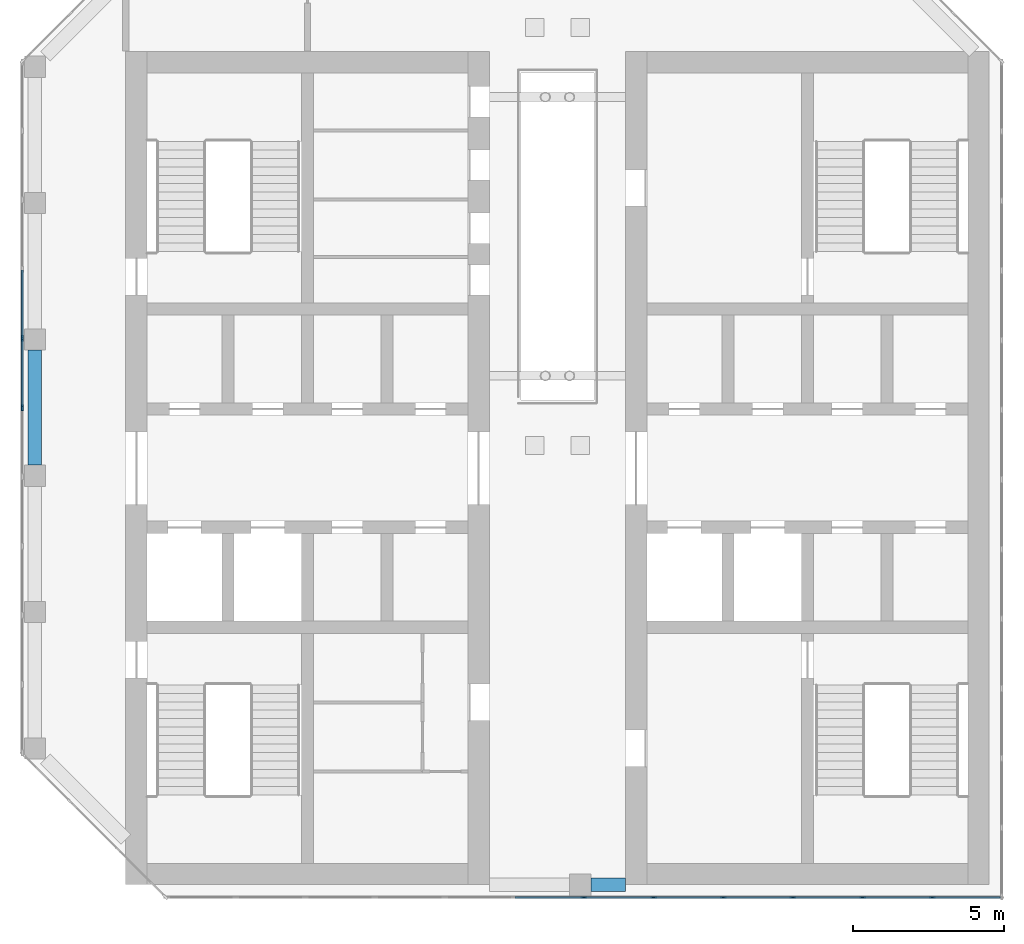
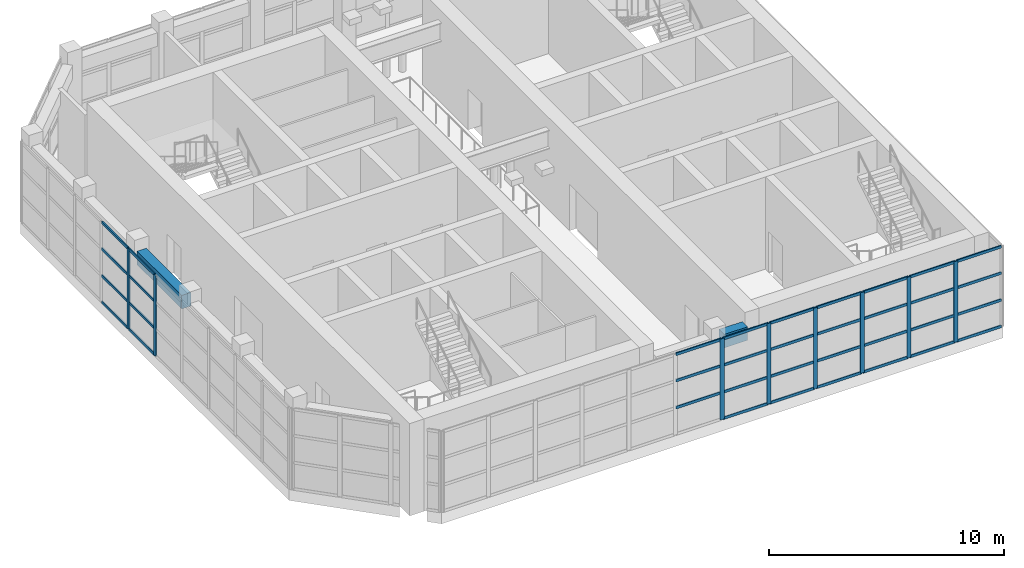
# One storey, part 3 of 13: 43 members, 2 beams, 2 elements without a shape of their own.
"""IFC4 building model written with IfcOpenShell, lengths in metres."""

from ifc_helpers import new_model, si_unit, direction, frame, origin, origin_2d, place, context, subcontext, project, spatial, rectangle, extrude, material, material_profile, profile_set, type_object, element, aggregate, save


model = new_model("IFC4")

# Units and contexts
model_context = context("Model", 3, precision=1e-05, world=origin(), true_north=direction((0.0, 1.0)))
body_context = subcontext(model_context, "Body", "Model", "MODEL_VIEW")
ifc_project = project(units=[si_unit("LENGTHUNIT", "METRE"), si_unit("AREAUNIT", "SQUARE_METRE"), si_unit("VOLUMEUNIT", "CUBIC_METRE"), si_unit("PLANEANGLEUNIT", "RADIAN"), si_unit("MASSUNIT", "GRAM", prefix="KILO")], contexts=[model_context])

# Site, building, storey
site_placement = place(None, origin())
site = spatial("IfcSite", under=ifc_project, at=site_placement, CompositionType="ELEMENT")
building_placement = place(site_placement, origin())
building = spatial("IfcBuilding", under=site, at=building_placement, Name="Corbel Stack Research Tower", CompositionType="ELEMENT")
storey_placement = place(building_placement, frame((0.0, 0.0, 316.60009765625)))
storey = spatial("IfcBuildingStorey", under=building, at=storey_placement, Name="L71", CompositionType="ELEMENT", Elevation=316.60009765625)

# Curtain wall, members
ifc_material_1 = material(Name="Aluminium and glass", Category="aluminium")
curtain_wall_type = type_object("IfcCurtainWallType", Name="CW4C damper hall glazing wall, corner", PredefinedType="NOTDEFINED", material=ifc_material_1)
curtain_wall_1_placement = place(storey_placement, origin())
curtain_wall_1 = element("IfcCurtainWall", 1, at=curtain_wall_1_placement, inside=storey, type_object=curtain_wall_type, Name="Damper hall curtain wall L71 2", PredefinedType="NOTDEFINED")
ifc_material_2 = material(Name="Aluminium, anodised", Category="aluminium")
ifc_material_profile_1 = material_profile(ifc_material_2, rectangle(XDim=0.06005859375, YDim=0.199951171875, at=origin_2d()), Name="CW4 mullion 60 x 200")
ifc_profile_set_1 = profile_set([ifc_material_profile_1], Name="Aluminium, anodised")
member_type_1 = type_object("IfcMemberType", Name="CW4 mullion 60 x 200", PredefinedType="MULLION", material=ifc_profile_set_1)
member_1_placement = place(storey_placement, frame((-13.919921875, 6.75, 0.0), z_axis=(0.0, 0.0, 1.0), x_axis=(-1.0, 0.0, 0.0)))
member_1 = element("IfcMember", 2, at=member_1_placement, type_object=member_type_1, Name="CW4C mullion 6", PredefinedType="MULLION", context=body_context, shape_type="SweptSolid", body=[
    extrude(rectangle(XDim=0.06005859375, YDim=0.199951171875, at=origin_2d()), origin(), (0.0, 0.0, 1.0), 4.199951171875),
])
member_2_placement = place(storey_placement, frame((-13.919921875, 9.034912109375, 0.0), z_axis=(0.0, 0.0, 1.0), x_axis=(-1.0, 0.0, 0.0)))
member_2 = element("IfcMember", 3, at=member_2_placement, type_object=member_type_1, Name="CW4C mullion 7", PredefinedType="MULLION", context=body_context, shape_type="SweptSolid", body=[
    extrude(rectangle(XDim=0.06005859375, YDim=0.199951171875, at=origin_2d()), origin(), (0.0, 0.0, 1.0), 4.199951171875),
])

curtain_wall_2_placement = place(storey_placement, origin())
curtain_wall_2 = element("IfcCurtainWall", 4, at=curtain_wall_2_placement, inside=storey, type_object=curtain_wall_type, Name="Damper hall curtain wall L71 7", PredefinedType="NOTDEFINED")
member_3_placement = place(storey_placement, frame((16.12060546875, -9.419921875, 0.0), z_axis=(0.0, 0.0, 1.0), x_axis=(0.0, -1.0, 0.0)))
member_3 = element("IfcMember", 5, at=member_3_placement, type_object=member_type_1, Name="CW4C mullion 2", PredefinedType="MULLION", context=body_context, shape_type="SweptSolid", body=[
    extrude(rectangle(XDim=0.06005859375, YDim=0.199951171875, at=origin_2d()), origin(), (0.0, 0.0, 1.0), 4.199951171875),
])
member_4_placement = place(storey_placement, frame((13.821044921875, -9.419921875, 0.0), z_axis=(0.0, 0.0, 1.0), x_axis=(0.0, -1.0, 0.0)))
member_4 = element("IfcMember", 6, at=member_4_placement, type_object=member_type_1, Name="CW4C mullion 3", PredefinedType="MULLION", context=body_context, shape_type="SweptSolid", body=[
    extrude(rectangle(XDim=0.06005859375, YDim=0.199951171875, at=origin_2d()), origin(), (0.0, 0.0, 1.0), 4.199951171875),
])
member_5_placement = place(storey_placement, frame((11.521484375, -9.419921875, 0.0), z_axis=(0.0, 0.0, 1.0), x_axis=(0.0, -1.0, 0.0)))
member_5 = element("IfcMember", 7, at=member_5_placement, type_object=member_type_1, Name="CW4C mullion 4", PredefinedType="MULLION", context=body_context, shape_type="SweptSolid", body=[
    extrude(rectangle(XDim=0.06005859375, YDim=0.199951171875, at=origin_2d()), origin(), (0.0, 0.0, 1.0), 4.199951171875),
])
member_6_placement = place(storey_placement, frame((9.221923828125, -9.419921875, 0.0), z_axis=(0.0, 0.0, 1.0), x_axis=(0.0, -1.0, 0.0)))
member_6 = element("IfcMember", 8, at=member_6_placement, type_object=member_type_1, Name="CW4C mullion 5", PredefinedType="MULLION", context=body_context, shape_type="SweptSolid", body=[
    extrude(rectangle(XDim=0.06005859375, YDim=0.199951171875, at=origin_2d()), origin(), (0.0, 0.0, 1.0), 4.199951171875),
])
member_7_placement = place(storey_placement, frame((6.922607421875, -9.419921875, 0.0), z_axis=(0.0, 0.0, 1.0), x_axis=(0.0, -1.0, 0.0)))
member_7 = element("IfcMember", 9, at=member_7_placement, type_object=member_type_1, Name="CW4C mullion 6", PredefinedType="MULLION", context=body_context, shape_type="SweptSolid", body=[
    extrude(rectangle(XDim=0.06005859375, YDim=0.199951171875, at=origin_2d()), origin(), (0.0, 0.0, 1.0), 4.199951171875),
])
member_8_placement = place(storey_placement, frame((4.623046875, -9.419921875, 0.0), z_axis=(0.0, 0.0, 1.0), x_axis=(0.0, -1.0, 0.0)))
member_8 = element("IfcMember", 10, at=member_8_placement, type_object=member_type_1, Name="CW4C mullion 7", PredefinedType="MULLION", context=body_context, shape_type="SweptSolid", body=[
    extrude(rectangle(XDim=0.06005859375, YDim=0.199951171875, at=origin_2d()), origin(), (0.0, 0.0, 1.0), 4.199951171875),
])

# Member
ifc_material_3 = material(Name="Aluminium, anodised", Category="aluminium")
ifc_material_profile_2 = material_profile(ifc_material_3, rectangle(XDim=0.06005859375, YDim=0.139892578125, at=origin_2d()), Name="CW4 transom 60 x 140")
ifc_profile_set_2 = profile_set([ifc_material_profile_2], Name="Aluminium, anodised")
member_type_2 = type_object("IfcMemberType", Name="CW4 transom 60 x 140", PredefinedType="USERDEFINED", material=ifc_profile_set_2)
member_9_placement = place(storey_placement, frame((-13.919921875, 6.780029296875, 0.02978515625), z_axis=(0.0, 1.0, 0.0), x_axis=(-1.0, 0.0, 0.0)))
member_9 = element("IfcMember", 11, at=member_9_placement, type_object=member_type_2, Name="CW4C transom 6.1", ObjectType="TRANSOM", PredefinedType="USERDEFINED", context=body_context, shape_type="SweptSolid", body=[
    extrude(rectangle(XDim=0.06005859375, YDim=0.139892578125, at=origin_2d()), origin(), (0.0, 0.0, 1.0), 2.224853515625),
])

member_10_placement = place(storey_placement, frame((-13.919921875, 6.780029296875, 1.39990234375), z_axis=(0.0, 1.0, 0.0), x_axis=(-1.0, 0.0, 0.0)))
member_10 = element("IfcMember", 12, at=member_10_placement, type_object=member_type_2, Name="CW4C transom 6.2", ObjectType="TRANSOM", PredefinedType="USERDEFINED", context=body_context, shape_type="SweptSolid", body=[
    extrude(rectangle(XDim=0.06005859375, YDim=0.139892578125, at=origin_2d()), origin(), (0.0, 0.0, 1.0), 2.224853515625),
])

member_11_placement = place(storey_placement, frame((-13.919921875, 6.780029296875, 2.7998046875), z_axis=(0.0, 1.0, 0.0), x_axis=(-1.0, 0.0, 0.0)))
member_11 = element("IfcMember", 13, at=member_11_placement, type_object=member_type_2, Name="CW4C transom 6.3", ObjectType="TRANSOM", PredefinedType="USERDEFINED", context=body_context, shape_type="SweptSolid", body=[
    extrude(rectangle(XDim=0.06005859375, YDim=0.139892578125, at=origin_2d()), origin(), (0.0, 0.0, 1.0), 2.224853515625),
])

member_12_placement = place(storey_placement, frame((-13.919921875, 6.780029296875, 4.169921875), z_axis=(0.0, 1.0, 0.0), x_axis=(-1.0, 0.0, 0.0)))
member_12 = element("IfcMember", 14, at=member_12_placement, type_object=member_type_2, Name="CW4C transom 6.4", ObjectType="TRANSOM", PredefinedType="USERDEFINED", context=body_context, shape_type="SweptSolid", body=[
    extrude(rectangle(XDim=0.06005859375, YDim=0.139892578125, at=origin_2d()), origin(), (0.0, 0.0, 1.0), 2.224853515625),
])

member_13_placement = place(storey_placement, frame((-13.919921875, 9.064697265625, 0.02978515625), z_axis=(0.0, 1.0, 0.0), x_axis=(-1.0, 0.0, 0.0)))
member_13 = element("IfcMember", 15, at=member_13_placement, type_object=member_type_2, Name="CW4C transom 7.1", ObjectType="TRANSOM", PredefinedType="USERDEFINED", context=body_context, shape_type="SweptSolid", body=[
    extrude(rectangle(XDim=0.06005859375, YDim=0.139892578125, at=origin_2d()), origin(), (0.0, 0.0, 1.0), 2.224853515625),
])

member_14_placement = place(storey_placement, frame((-13.919921875, 9.064697265625, 1.39990234375), z_axis=(0.0, 1.0, 0.0), x_axis=(-1.0, 0.0, 0.0)))
member_14 = element("IfcMember", 16, at=member_14_placement, type_object=member_type_2, Name="CW4C transom 7.2", ObjectType="TRANSOM", PredefinedType="USERDEFINED", context=body_context, shape_type="SweptSolid", body=[
    extrude(rectangle(XDim=0.06005859375, YDim=0.139892578125, at=origin_2d()), origin(), (0.0, 0.0, 1.0), 2.224853515625),
])

member_15_placement = place(storey_placement, frame((-13.919921875, 9.064697265625, 2.7998046875), z_axis=(0.0, 1.0, 0.0), x_axis=(-1.0, 0.0, 0.0)))
member_15 = element("IfcMember", 17, at=member_15_placement, type_object=member_type_2, Name="CW4C transom 7.3", ObjectType="TRANSOM", PredefinedType="USERDEFINED", context=body_context, shape_type="SweptSolid", body=[
    extrude(rectangle(XDim=0.06005859375, YDim=0.139892578125, at=origin_2d()), origin(), (0.0, 0.0, 1.0), 2.224853515625),
])

member_16_placement = place(storey_placement, frame((-13.919921875, 9.064697265625, 4.169921875), z_axis=(0.0, 1.0, 0.0), x_axis=(-1.0, 0.0, 0.0)))
member_16 = element("IfcMember", 18, at=member_16_placement, type_object=member_type_2, Name="CW4C transom 7.4", ObjectType="TRANSOM", PredefinedType="USERDEFINED", context=body_context, shape_type="SweptSolid", body=[
    extrude(rectangle(XDim=0.06005859375, YDim=0.139892578125, at=origin_2d()), origin(), (0.0, 0.0, 1.0), 2.224853515625),
])

aggregate(curtain_wall_1, [member_1, member_2, member_9, member_10, member_11, member_12, member_13, member_14, member_15, member_16])

member_17_placement = place(storey_placement, frame((18.360107421875, -9.419921875, 0.02978515625), z_axis=(-1.0, 0.0, 0.0), x_axis=(0.0, -1.0, 0.0)))
member_17 = element("IfcMember", 19, at=member_17_placement, type_object=member_type_2, Name="CW4C transom 1.1", ObjectType="TRANSOM", PredefinedType="USERDEFINED", context=body_context, shape_type="SweptSolid", body=[
    extrude(rectangle(XDim=0.06005859375, YDim=0.139892578125, at=origin_2d()), origin(), (0.0, 0.0, 1.0), 2.209716796875),
])

member_18_placement = place(storey_placement, frame((18.360107421875, -9.419921875, 1.39990234375), z_axis=(-1.0, 0.0, 0.0), x_axis=(0.0, -1.0, 0.0)))
member_18 = element("IfcMember", 20, at=member_18_placement, type_object=member_type_2, Name="CW4C transom 1.2", ObjectType="TRANSOM", PredefinedType="USERDEFINED", context=body_context, shape_type="SweptSolid", body=[
    extrude(rectangle(XDim=0.06005859375, YDim=0.139892578125, at=origin_2d()), origin(), (0.0, 0.0, 1.0), 2.209716796875),
])

member_19_placement = place(storey_placement, frame((18.360107421875, -9.419921875, 2.7998046875), z_axis=(-1.0, 0.0, 0.0), x_axis=(0.0, -1.0, 0.0)))
member_19 = element("IfcMember", 21, at=member_19_placement, type_object=member_type_2, Name="CW4C transom 1.3", ObjectType="TRANSOM", PredefinedType="USERDEFINED", context=body_context, shape_type="SweptSolid", body=[
    extrude(rectangle(XDim=0.06005859375, YDim=0.139892578125, at=origin_2d()), origin(), (0.0, 0.0, 1.0), 2.209716796875),
])

member_20_placement = place(storey_placement, frame((18.360107421875, -9.419921875, 4.169921875), z_axis=(-1.0, 0.0, 0.0), x_axis=(0.0, -1.0, 0.0)))
member_20 = element("IfcMember", 22, at=member_20_placement, type_object=member_type_2, Name="CW4C transom 1.4", ObjectType="TRANSOM", PredefinedType="USERDEFINED", context=body_context, shape_type="SweptSolid", body=[
    extrude(rectangle(XDim=0.06005859375, YDim=0.139892578125, at=origin_2d()), origin(), (0.0, 0.0, 1.0), 2.209716796875),
])

member_21_placement = place(storey_placement, frame((16.090576171875, -9.419921875, 0.02978515625), z_axis=(-1.0, 0.0, 0.0), x_axis=(0.0, -1.0, 0.0)))
member_21 = element("IfcMember", 23, at=member_21_placement, type_object=member_type_2, Name="CW4C transom 2.1", ObjectType="TRANSOM", PredefinedType="USERDEFINED", context=body_context, shape_type="SweptSolid", body=[
    extrude(rectangle(XDim=0.06005859375, YDim=0.139892578125, at=origin_2d()), origin(), (0.0, 0.0, 1.0), 2.239501953125),
])

member_22_placement = place(storey_placement, frame((16.090576171875, -9.419921875, 1.39990234375), z_axis=(-1.0, 0.0, 0.0), x_axis=(0.0, -1.0, 0.0)))
member_22 = element("IfcMember", 24, at=member_22_placement, type_object=member_type_2, Name="CW4C transom 2.2", ObjectType="TRANSOM", PredefinedType="USERDEFINED", context=body_context, shape_type="SweptSolid", body=[
    extrude(rectangle(XDim=0.06005859375, YDim=0.139892578125, at=origin_2d()), origin(), (0.0, 0.0, 1.0), 2.239501953125),
])

member_23_placement = place(storey_placement, frame((16.090576171875, -9.419921875, 2.7998046875), z_axis=(-1.0, 0.0, 0.0), x_axis=(0.0, -1.0, 0.0)))
member_23 = element("IfcMember", 25, at=member_23_placement, type_object=member_type_2, Name="CW4C transom 2.3", ObjectType="TRANSOM", PredefinedType="USERDEFINED", context=body_context, shape_type="SweptSolid", body=[
    extrude(rectangle(XDim=0.06005859375, YDim=0.139892578125, at=origin_2d()), origin(), (0.0, 0.0, 1.0), 2.239501953125),
])

member_24_placement = place(storey_placement, frame((16.090576171875, -9.419921875, 4.169921875), z_axis=(-1.0, 0.0, 0.0), x_axis=(0.0, -1.0, 0.0)))
member_24 = element("IfcMember", 26, at=member_24_placement, type_object=member_type_2, Name="CW4C transom 2.4", ObjectType="TRANSOM", PredefinedType="USERDEFINED", context=body_context, shape_type="SweptSolid", body=[
    extrude(rectangle(XDim=0.06005859375, YDim=0.139892578125, at=origin_2d()), origin(), (0.0, 0.0, 1.0), 2.239501953125),
])

member_25_placement = place(storey_placement, frame((13.791015625, -9.419921875, 0.02978515625), z_axis=(-1.0, 0.0, 0.0), x_axis=(0.0, -1.0, 0.0)))
member_25 = element("IfcMember", 27, at=member_25_placement, type_object=member_type_2, Name="CW4C transom 3.1", ObjectType="TRANSOM", PredefinedType="USERDEFINED", context=body_context, shape_type="SweptSolid", body=[
    extrude(rectangle(XDim=0.06005859375, YDim=0.139892578125, at=origin_2d()), origin(), (0.0, 0.0, 1.0), 2.239501953125),
])

member_26_placement = place(storey_placement, frame((13.791015625, -9.419921875, 1.39990234375), z_axis=(-1.0, 0.0, 0.0), x_axis=(0.0, -1.0, 0.0)))
member_26 = element("IfcMember", 28, at=member_26_placement, type_object=member_type_2, Name="CW4C transom 3.2", ObjectType="TRANSOM", PredefinedType="USERDEFINED", context=body_context, shape_type="SweptSolid", body=[
    extrude(rectangle(XDim=0.06005859375, YDim=0.139892578125, at=origin_2d()), origin(), (0.0, 0.0, 1.0), 2.239501953125),
])

member_27_placement = place(storey_placement, frame((13.791015625, -9.419921875, 2.7998046875), z_axis=(-1.0, 0.0, 0.0), x_axis=(0.0, -1.0, 0.0)))
member_27 = element("IfcMember", 29, at=member_27_placement, type_object=member_type_2, Name="CW4C transom 3.3", ObjectType="TRANSOM", PredefinedType="USERDEFINED", context=body_context, shape_type="SweptSolid", body=[
    extrude(rectangle(XDim=0.06005859375, YDim=0.139892578125, at=origin_2d()), origin(), (0.0, 0.0, 1.0), 2.239501953125),
])

member_28_placement = place(storey_placement, frame((13.791015625, -9.419921875, 4.169921875), z_axis=(-1.0, 0.0, 0.0), x_axis=(0.0, -1.0, 0.0)))
member_28 = element("IfcMember", 30, at=member_28_placement, type_object=member_type_2, Name="CW4C transom 3.4", ObjectType="TRANSOM", PredefinedType="USERDEFINED", context=body_context, shape_type="SweptSolid", body=[
    extrude(rectangle(XDim=0.06005859375, YDim=0.139892578125, at=origin_2d()), origin(), (0.0, 0.0, 1.0), 2.239501953125),
])

member_29_placement = place(storey_placement, frame((11.491455078125, -9.419921875, 0.02978515625), z_axis=(-1.0, 0.0, 0.0), x_axis=(0.0, -1.0, 0.0)))
member_29 = element("IfcMember", 31, at=member_29_placement, type_object=member_type_2, Name="CW4C transom 4.1", ObjectType="TRANSOM", PredefinedType="USERDEFINED", context=body_context, shape_type="SweptSolid", body=[
    extrude(rectangle(XDim=0.06005859375, YDim=0.139892578125, at=origin_2d()), origin(), (0.0, 0.0, 1.0), 2.239501953125),
])

member_30_placement = place(storey_placement, frame((11.491455078125, -9.419921875, 1.39990234375), z_axis=(-1.0, 0.0, 0.0), x_axis=(0.0, -1.0, 0.0)))
member_30 = element("IfcMember", 32, at=member_30_placement, type_object=member_type_2, Name="CW4C transom 4.2", ObjectType="TRANSOM", PredefinedType="USERDEFINED", context=body_context, shape_type="SweptSolid", body=[
    extrude(rectangle(XDim=0.06005859375, YDim=0.139892578125, at=origin_2d()), origin(), (0.0, 0.0, 1.0), 2.239501953125),
])

member_31_placement = place(storey_placement, frame((11.491455078125, -9.419921875, 2.7998046875), z_axis=(-1.0, 0.0, 0.0), x_axis=(0.0, -1.0, 0.0)))
member_31 = element("IfcMember", 33, at=member_31_placement, type_object=member_type_2, Name="CW4C transom 4.3", ObjectType="TRANSOM", PredefinedType="USERDEFINED", context=body_context, shape_type="SweptSolid", body=[
    extrude(rectangle(XDim=0.06005859375, YDim=0.139892578125, at=origin_2d()), origin(), (0.0, 0.0, 1.0), 2.239501953125),
])

member_32_placement = place(storey_placement, frame((11.491455078125, -9.419921875, 4.169921875), z_axis=(-1.0, 0.0, 0.0), x_axis=(0.0, -1.0, 0.0)))
member_32 = element("IfcMember", 34, at=member_32_placement, type_object=member_type_2, Name="CW4C transom 4.4", ObjectType="TRANSOM", PredefinedType="USERDEFINED", context=body_context, shape_type="SweptSolid", body=[
    extrude(rectangle(XDim=0.06005859375, YDim=0.139892578125, at=origin_2d()), origin(), (0.0, 0.0, 1.0), 2.239501953125),
])

member_33_placement = place(storey_placement, frame((9.19189453125, -9.419921875, 0.02978515625), z_axis=(-1.0, 0.0, 0.0), x_axis=(0.0, -1.0, 0.0)))
member_33 = element("IfcMember", 35, at=member_33_placement, type_object=member_type_2, Name="CW4C transom 5.1", ObjectType="TRANSOM", PredefinedType="USERDEFINED", context=body_context, shape_type="SweptSolid", body=[
    extrude(rectangle(XDim=0.06005859375, YDim=0.139892578125, at=origin_2d()), origin(), (0.0, 0.0, 1.0), 2.239501953125),
])

member_34_placement = place(storey_placement, frame((9.19189453125, -9.419921875, 1.39990234375), z_axis=(-1.0, 0.0, 0.0), x_axis=(0.0, -1.0, 0.0)))
member_34 = element("IfcMember", 36, at=member_34_placement, type_object=member_type_2, Name="CW4C transom 5.2", ObjectType="TRANSOM", PredefinedType="USERDEFINED", context=body_context, shape_type="SweptSolid", body=[
    extrude(rectangle(XDim=0.06005859375, YDim=0.139892578125, at=origin_2d()), origin(), (0.0, 0.0, 1.0), 2.239501953125),
])

member_35_placement = place(storey_placement, frame((9.19189453125, -9.419921875, 2.7998046875), z_axis=(-1.0, 0.0, 0.0), x_axis=(0.0, -1.0, 0.0)))
member_35 = element("IfcMember", 37, at=member_35_placement, type_object=member_type_2, Name="CW4C transom 5.3", ObjectType="TRANSOM", PredefinedType="USERDEFINED", context=body_context, shape_type="SweptSolid", body=[
    extrude(rectangle(XDim=0.06005859375, YDim=0.139892578125, at=origin_2d()), origin(), (0.0, 0.0, 1.0), 2.239501953125),
])

member_36_placement = place(storey_placement, frame((9.19189453125, -9.419921875, 4.169921875), z_axis=(-1.0, 0.0, 0.0), x_axis=(0.0, -1.0, 0.0)))
member_36 = element("IfcMember", 38, at=member_36_placement, type_object=member_type_2, Name="CW4C transom 5.4", ObjectType="TRANSOM", PredefinedType="USERDEFINED", context=body_context, shape_type="SweptSolid", body=[
    extrude(rectangle(XDim=0.06005859375, YDim=0.139892578125, at=origin_2d()), origin(), (0.0, 0.0, 1.0), 2.239501953125),
])

member_37_placement = place(storey_placement, frame((6.892578125, -9.419921875, 0.02978515625), z_axis=(-1.0, 0.0, 0.0), x_axis=(0.0, -1.0, 0.0)))
member_37 = element("IfcMember", 39, at=member_37_placement, type_object=member_type_2, Name="CW4C transom 6.1", ObjectType="TRANSOM", PredefinedType="USERDEFINED", context=body_context, shape_type="SweptSolid", body=[
    extrude(rectangle(XDim=0.06005859375, YDim=0.139892578125, at=origin_2d()), origin(), (0.0, 0.0, 1.0), 2.239501953125),
])

member_38_placement = place(storey_placement, frame((6.892578125, -9.419921875, 1.39990234375), z_axis=(-1.0, 0.0, 0.0), x_axis=(0.0, -1.0, 0.0)))
member_38 = element("IfcMember", 40, at=member_38_placement, type_object=member_type_2, Name="CW4C transom 6.2", ObjectType="TRANSOM", PredefinedType="USERDEFINED", context=body_context, shape_type="SweptSolid", body=[
    extrude(rectangle(XDim=0.06005859375, YDim=0.139892578125, at=origin_2d()), origin(), (0.0, 0.0, 1.0), 2.239501953125),
])

member_39_placement = place(storey_placement, frame((6.892578125, -9.419921875, 2.7998046875), z_axis=(-1.0, 0.0, 0.0), x_axis=(0.0, -1.0, 0.0)))
member_39 = element("IfcMember", 41, at=member_39_placement, type_object=member_type_2, Name="CW4C transom 6.3", ObjectType="TRANSOM", PredefinedType="USERDEFINED", context=body_context, shape_type="SweptSolid", body=[
    extrude(rectangle(XDim=0.06005859375, YDim=0.139892578125, at=origin_2d()), origin(), (0.0, 0.0, 1.0), 2.239501953125),
])

member_40_placement = place(storey_placement, frame((6.892578125, -9.419921875, 4.169921875), z_axis=(-1.0, 0.0, 0.0), x_axis=(0.0, -1.0, 0.0)))
member_40 = element("IfcMember", 42, at=member_40_placement, type_object=member_type_2, Name="CW4C transom 6.4", ObjectType="TRANSOM", PredefinedType="USERDEFINED", context=body_context, shape_type="SweptSolid", body=[
    extrude(rectangle(XDim=0.06005859375, YDim=0.139892578125, at=origin_2d()), origin(), (0.0, 0.0, 1.0), 2.239501953125),
])

member_41_placement = place(storey_placement, frame((4.593017578125, -9.419921875, 1.39990234375), z_axis=(-1.0, 0.0, 0.0), x_axis=(0.0, -1.0, 0.0)))
member_41 = element("IfcMember", 43, at=member_41_placement, type_object=member_type_2, Name="CW4C transom 7.2", ObjectType="TRANSOM", PredefinedType="USERDEFINED", context=body_context, shape_type="SweptSolid", body=[
    extrude(rectangle(XDim=0.06005859375, YDim=0.139892578125, at=origin_2d()), origin(), (0.0, 0.0, 1.0), 2.239501953125),
])

member_42_placement = place(storey_placement, frame((4.593017578125, -9.419921875, 2.7998046875), z_axis=(-1.0, 0.0, 0.0), x_axis=(0.0, -1.0, 0.0)))
member_42 = element("IfcMember", 44, at=member_42_placement, type_object=member_type_2, Name="CW4C transom 7.3", ObjectType="TRANSOM", PredefinedType="USERDEFINED", context=body_context, shape_type="SweptSolid", body=[
    extrude(rectangle(XDim=0.06005859375, YDim=0.139892578125, at=origin_2d()), origin(), (0.0, 0.0, 1.0), 2.239501953125),
])

member_43_placement = place(storey_placement, frame((4.593017578125, -9.419921875, 4.169921875), z_axis=(-1.0, 0.0, 0.0), x_axis=(0.0, -1.0, 0.0)))
member_43 = element("IfcMember", 45, at=member_43_placement, type_object=member_type_2, Name="CW4C transom 7.4", ObjectType="TRANSOM", PredefinedType="USERDEFINED", context=body_context, shape_type="SweptSolid", body=[
    extrude(rectangle(XDim=0.06005859375, YDim=0.139892578125, at=origin_2d()), origin(), (0.0, 0.0, 1.0), 2.239501953125),
])

aggregate(curtain_wall_2, [member_3, member_4, member_5, member_6, member_7, member_8, member_17, member_18, member_19, member_20, member_21, member_22, member_23, member_24, member_25, member_26, member_27, member_28, member_29, member_30, member_31, member_32, member_33, member_34, member_35, member_36, member_37, member_38, member_39, member_40, member_41, member_42, member_43])

# Beams
ifc_material_4 = material(Name="Concrete C60/75", Category="concrete")
ifc_material_profile_3 = material_profile(ifc_material_4, rectangle(XDim=0.449951171875, YDim=0.699951171875, at=origin_2d()), Name="RC 450 x 700")
ifc_profile_set_3 = profile_set([ifc_material_profile_3], Name="Concrete C60/75")
beam_type = type_object("IfcBeamType", Name="SB-450-700", PredefinedType="SPANDREL", material=ifc_profile_set_3)
beam_1_placement = place(storey_placement, frame((4.85009765625, -9.0, 3.849853515625), z_axis=(1.0, 0.0, 0.0), x_axis=(0.0, 1.0, 0.0)))
element("IfcBeam", 46, at=beam_1_placement, inside=storey, type_object=beam_type, Name="Spandrel beam L71-02", PredefinedType="SPANDREL", context=body_context, shape_type="SweptSolid", body=[
    extrude(rectangle(XDim=0.449951171875, YDim=0.699951171875, at=origin_2d()), origin(), (0.0, 0.0, 1.0), 1.14990234375),
])
beam_2_placement = place(storey_placement, frame((-13.5, 8.64990234375, 3.849853515625), z_axis=(0.0, -1.0, 0.0), x_axis=(1.0, 0.0, 0.0)))
element("IfcBeam", 47, at=beam_2_placement, inside=storey, type_object=beam_type, Name="Spandrel beam L71-12", PredefinedType="SPANDREL", context=body_context, shape_type="SweptSolid", body=[
    extrude(rectangle(XDim=0.449951171875, YDim=0.699951171875, at=origin_2d()), origin(), (0.0, 0.0, 1.0), 3.7998046875),
])

save(model, "model.ifc")
